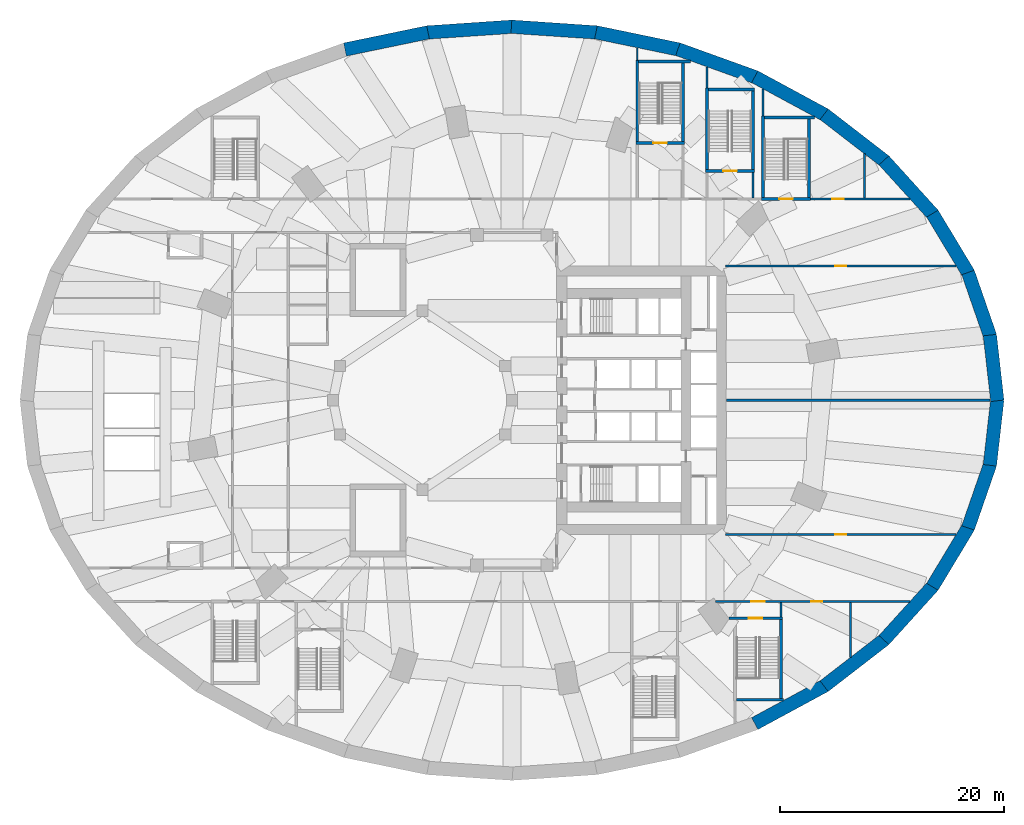
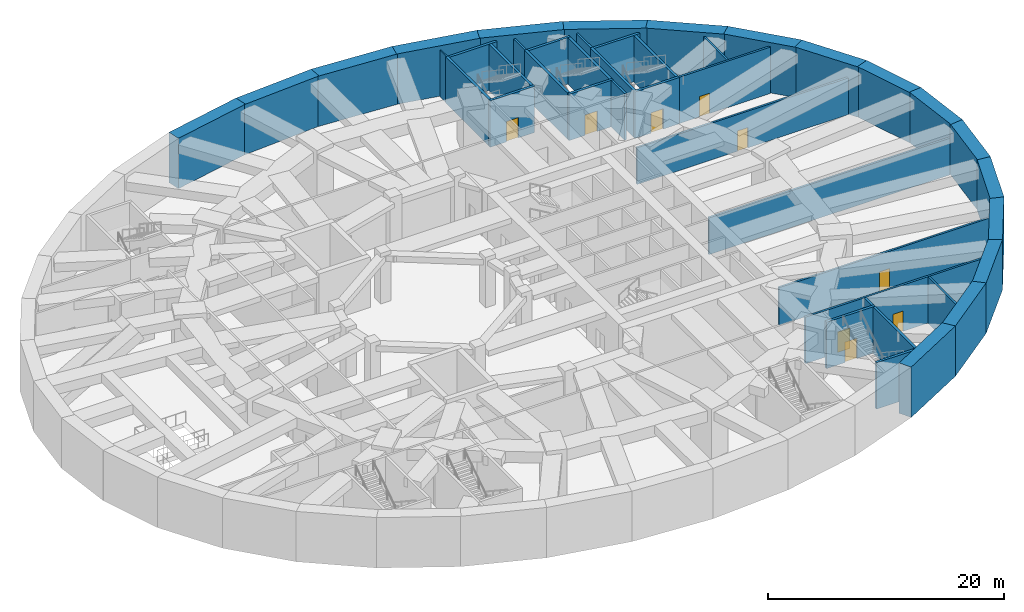
# One storey, part 8 of 14: 44 walls, 9 doors, 9 openings.
"""IFC4 building model written with IfcOpenShell, lengths in metres."""

from ifc_helpers import new_model, si_unit, direction, frame, frame_2d, origin, place, context, subcontext, project, spatial, rectangle, extrude, material, layer, layer_set, type_object, element, fill, save


model = new_model("IFC4")

# Units and contexts
model_context = context("Model", 3, precision=1e-05, world=origin(), true_north=direction((0.0, 1.0)))
body_context = subcontext(model_context, "Body", "Model", "MODEL_VIEW")
ifc_project = project(units=[si_unit("LENGTHUNIT", "METRE"), si_unit("AREAUNIT", "SQUARE_METRE"), si_unit("VOLUMEUNIT", "CUBIC_METRE"), si_unit("PLANEANGLEUNIT", "RADIAN"), si_unit("MASSUNIT", "GRAM", prefix="KILO")], contexts=[model_context])

# Site, building, storey
site_placement = place(None, origin())
site = spatial("IfcSite", under=ifc_project, at=site_placement, CompositionType="ELEMENT")
building_placement = place(site_placement, origin())
building = spatial("IfcBuilding", under=site, at=building_placement, Name="Taillehof Tower", CompositionType="ELEMENT")
storey_placement = place(building_placement, frame((0.0, 0.0, -5.199951171875)))
storey = spatial("IfcBuildingStorey", under=building, at=storey_placement, Name="B1", CompositionType="ELEMENT", Elevation=-5.199951171875)

# Wall, openings, doors
ifc_material_1 = material(Name="Calcium silicate blockwork", Category="masonry")
ifc_layer_1 = layer(ifc_material_1, 0.199951171875)
ifc_layer_set_1 = layer_set([ifc_layer_1], Name="Compartment wall EI 60 200 mm")
wall_type_1 = type_object("IfcWallType", Name="Compartment wall EI 60 200 mm", PredefinedType="PARTITIONING", material=ifc_layer_set_1)
wall_1_placement = place(storey_placement, frame((18.197265625, -18.0, 0.0), z_axis=(0.0, 0.0, 1.0), x_axis=(1.0, 0.0, 0.0)))
wall_1 = element("IfcWall", 1, at=wall_1_placement, inside=storey, type_object=wall_type_1, Name="Wall B1-18 / B1-32", PredefinedType="PARTITIONING", context=body_context, shape_type="SweptSolid", body=[
    extrude(rectangle(XDim=17.408203125, YDim=0.199951171875, at=frame_2d((8.7041015625, 0.0))), origin(), (0.0, 0.0, 1.0), 4.7900390625),
])
opening_1_placement = place(wall_1_placement, frame((3.202880859375, 0.0, 0.0)))
opening_1 = element("IfcOpeningElement", 2, at=opening_1_placement, cuts=wall_1, Name="Opening DB151", PredefinedType="OPENING", context=body_context, shape_type="SweptSolid", body=[
    extrude(rectangle(XDim=1.199951171875, YDim=2.10009765625, at=frame_2d((0.60009765625, 1.050048828125))), frame((0.0, 0.10986328125, 0.0), z_axis=(0.0, -1.0, 0.0), x_axis=(1.0, 0.0, 0.0)), (0.0, 0.0, 1.0), 0.219970703125),
])
opening_2_placement = place(wall_1_placement, frame((8.56591796875, 0.0, 0.0)))
opening_2 = element("IfcOpeningElement", 3, at=opening_2_placement, cuts=wall_1, Name="Opening DB152", PredefinedType="OPENING", context=body_context, shape_type="SweptSolid", body=[
    extrude(rectangle(XDim=1.0, YDim=2.10009765625, at=frame_2d((0.5, 1.050048828125))), frame((0.0, 0.10986328125, 0.0), z_axis=(0.0, -1.0, 0.0), x_axis=(1.0, 0.0, 0.0)), (0.0, 0.0, 1.0), 0.219970703125),
])
ifc_material_2 = material(Name="Hollow metal door set")
door_type_1 = type_object("IfcDoorType", Name="Single door 1000 x 2100 FD60S", OperationType="SINGLE_SWING_LEFT", PredefinedType="DOOR", material=ifc_material_2)
door_1_placement = place(opening_2_placement, origin())
door_1 = element("IfcDoor", 4, at=door_1_placement, inside=storey, type_object=door_type_1, Name="Door DB152", OperationType="SINGLE_SWING_LEFT", OverallHeight=2.10009765625, OverallWidth=1.0, PredefinedType="DOOR", context=body_context, shape_type="SweptSolid", body=[
    extrude(rectangle(XDim=1.0, YDim=2.10009765625, at=frame_2d((0.5, 1.050048828125))), frame((0.0, 0.02490234375, 0.0), z_axis=(0.0, -1.0, 0.0), x_axis=(1.0, 0.0, 0.0)), (0.0, 0.0, 1.0), 0.050048828125),
])
fill(opening_2, door_1)
ifc_material_3 = material(Name="Hollow metal door set")
door_type_2 = type_object("IfcDoorType", Name="Single door 1200 x 2100 FD60S", OperationType="SINGLE_SWING_LEFT", PredefinedType="DOOR", material=ifc_material_3)
door_2_placement = place(opening_1_placement, origin())
door_2 = element("IfcDoor", 5, at=door_2_placement, inside=storey, type_object=door_type_2, Name="Door DB151", OperationType="SINGLE_SWING_LEFT", OverallHeight=2.10009765625, OverallWidth=1.199951171875, PredefinedType="DOOR", context=body_context, shape_type="SweptSolid", body=[
    extrude(rectangle(XDim=1.199951171875, YDim=2.10009765625, at=frame_2d((0.60009765625, 1.050048828125))), frame((0.0, 0.02490234375, 0.0), z_axis=(0.0, -1.0, 0.0), x_axis=(1.0, 0.0, 0.0)), (0.0, 0.0, 1.0), 0.050048828125),
])
fill(opening_1, door_2)

# Wall, opening, door
wall_2_placement = place(storey_placement, frame((19.10009765625, -12.0, 0.0), z_axis=(0.0, 0.0, 1.0), x_axis=(1.0, 0.0, 0.0)))
wall_2 = element("IfcWall", 6, at=wall_2_placement, inside=storey, type_object=wall_type_1, Name="Wall B1-18 / B1-37", PredefinedType="PARTITIONING", context=body_context, shape_type="SweptSolid", body=[
    extrude(rectangle(XDim=20.625, YDim=0.199951171875, at=frame_2d((10.3125, 0.0))), origin(), (0.0, 0.0, 1.0), 3.889892578125),
])
opening_3_placement = place(wall_2_placement, frame((9.81298828125, 0.0, 0.0)))
opening_3 = element("IfcOpeningElement", 7, at=opening_3_placement, cuts=wall_2, Name="Opening DB159", PredefinedType="OPENING", context=body_context, shape_type="SweptSolid", body=[
    extrude(rectangle(XDim=1.0, YDim=2.10009765625, at=frame_2d((0.5, 1.050048828125))), frame((0.0, 0.10986328125, 0.0), z_axis=(0.0, -1.0, 0.0), x_axis=(1.0, 0.0, 0.0)), (0.0, 0.0, 1.0), 0.219970703125),
])
door_3_placement = place(opening_3_placement, origin())
door_3 = element("IfcDoor", 8, at=door_3_placement, inside=storey, type_object=door_type_1, Name="Door DB159", OperationType="SINGLE_SWING_RIGHT", OverallHeight=2.10009765625, OverallWidth=1.0, PredefinedType="DOOR", context=body_context, shape_type="SweptSolid", body=[
    extrude(rectangle(XDim=1.0, YDim=2.10009765625, at=frame_2d((0.5, 1.050048828125))), frame((0.0, 0.02490234375, 0.0), z_axis=(0.0, -1.0, 0.0), x_axis=(1.0, 0.0, 0.0)), (0.0, 0.0, 1.0), 0.050048828125),
])
fill(opening_3, door_3)

# Wall
wall_3_placement = place(storey_placement, frame((19.197998046875, 0.0, 0.0), z_axis=(0.0, 0.0, 1.0), x_axis=(1.0, 0.0, 0.0)))
element("IfcWall", 9, at=wall_3_placement, inside=storey, type_object=wall_type_1, Name="Wall B1-36 / B1-37", PredefinedType="PARTITIONING", context=body_context, shape_type="SweptSolid", body=[
    extrude(rectangle(XDim=23.5458984375, YDim=0.199951171875, at=frame_2d((11.77294921875, 0.0))), origin(), (0.0, 0.0, 1.0), 3.7900390625),
])

# Wall, opening, door
wall_4_placement = place(storey_placement, frame((19.10009765625, 12.0, 0.0), z_axis=(0.0, 0.0, 1.0), x_axis=(1.0, 0.0, 0.0)))
wall_4 = element("IfcWall", 10, at=wall_4_placement, inside=storey, type_object=wall_type_1, Name="Wall B1-17 / B1-36", PredefinedType="PARTITIONING", context=body_context, shape_type="SweptSolid", body=[
    extrude(rectangle(XDim=20.625, YDim=0.199951171875, at=frame_2d((10.3125, 0.0))), origin(), (0.0, 0.0, 1.0), 3.7900390625),
])
opening_4_placement = place(wall_4_placement, frame((9.81298828125, 0.0, 0.0)))
opening_4 = element("IfcOpeningElement", 11, at=opening_4_placement, cuts=wall_4, Name="Opening DB172", PredefinedType="OPENING", context=body_context, shape_type="SweptSolid", body=[
    extrude(rectangle(XDim=1.0, YDim=2.10009765625, at=frame_2d((0.5, 1.050048828125))), frame((0.0, 0.10986328125, 0.0), z_axis=(0.0, -1.0, 0.0), x_axis=(1.0, 0.0, 0.0)), (0.0, 0.0, 1.0), 0.219970703125),
])
door_4_placement = place(opening_4_placement, origin())
door_4 = element("IfcDoor", 12, at=door_4_placement, inside=storey, type_object=door_type_1, Name="Door DB172", OperationType="SINGLE_SWING_RIGHT", OverallHeight=2.10009765625, OverallWidth=1.0, PredefinedType="DOOR", context=body_context, shape_type="SweptSolid", body=[
    extrude(rectangle(XDim=1.0, YDim=2.10009765625, at=frame_2d((0.5, 1.050048828125))), frame((0.0, 0.02490234375, 0.0), z_axis=(0.0, -1.0, 0.0), x_axis=(1.0, 0.0, 0.0)), (0.0, 0.0, 1.0), 0.050048828125),
])
fill(opening_4, door_4)

wall_5_placement = place(storey_placement, frame((26.675048828125, 18.0, 0.0), z_axis=(0.0, 0.0, 1.0), x_axis=(1.0, 0.0, 0.0)))
wall_5 = element("IfcWall", 13, at=wall_5_placement, inside=storey, type_object=wall_type_1, Name="Wall B1-17 / B1-25", PredefinedType="PARTITIONING", context=body_context, shape_type="SweptSolid", body=[
    extrude(rectangle(XDim=8.930419921875, YDim=0.199951171875, at=frame_2d((4.46533203125, 0.0))), origin(), (0.0, 0.0, 1.0), 4.7900390625),
])
opening_5_placement = place(wall_5_placement, frame((1.97509765625, 0.0, 0.0)))
opening_5 = element("IfcOpeningElement", 14, at=opening_5_placement, cuts=wall_5, Name="Opening DB186", PredefinedType="OPENING", context=body_context, shape_type="SweptSolid", body=[
    extrude(rectangle(XDim=1.0, YDim=2.10009765625, at=frame_2d((0.5, 1.050048828125))), frame((0.0, 0.10986328125, 0.0), z_axis=(0.0, -1.0, 0.0), x_axis=(1.0, 0.0, 0.0)), (0.0, 0.0, 1.0), 0.219970703125),
])
door_5_placement = place(opening_5_placement, origin())
door_5 = element("IfcDoor", 15, at=door_5_placement, inside=storey, type_object=door_type_1, Name="Door DB186", OperationType="SINGLE_SWING_RIGHT", OverallHeight=2.10009765625, OverallWidth=1.0, PredefinedType="DOOR", context=body_context, shape_type="SweptSolid", body=[
    extrude(rectangle(XDim=1.0, YDim=2.10009765625, at=frame_2d((0.5, 1.050048828125))), frame((0.0, 0.02490234375, 0.0), z_axis=(0.0, -1.0, 0.0), x_axis=(1.0, 0.0, 0.0)), (0.0, 0.0, 1.0), 0.050048828125),
])
fill(opening_5, door_5)

# Walls
wall_6_placement = place(storey_placement, frame((17.449951171875, 27.9150390625, 0.0), z_axis=(0.0, 0.0, 1.0), x_axis=(0.0, 1.0, 0.0)))
element("IfcWall", 16, at=wall_6_placement, inside=storey, type_object=wall_type_1, Name="Wall B1-22 / B1-24", PredefinedType="PARTITIONING", context=body_context, shape_type="SweptSolid", body=[
    extrude(rectangle(XDim=1.878662109375, YDim=0.199951171875, at=frame_2d((0.939453125, 0.0))), origin(), (0.0, 0.0, 1.0), 4.7900390625),
])
wall_7_placement = place(storey_placement, frame((21.550048828125, 18.10009765625, 0.0), z_axis=(0.0, 0.0, 1.0), x_axis=(0.0, 1.0, 0.0)))
element("IfcWall", 17, at=wall_7_placement, inside=storey, type_object=wall_type_1, Name="Wall B1-23 / B1-24", PredefinedType="PARTITIONING", context=body_context, shape_type="SweptSolid", body=[
    extrude(rectangle(XDim=2.27490234375, YDim=0.199951171875, at=frame_2d((1.137451171875, 0.0))), origin(), (0.0, 0.0, 1.0), 4.7900390625),
])
wall_8_placement = place(storey_placement, frame((22.449951171875, 25.4150390625, 0.0), z_axis=(0.0, 0.0, 1.0), x_axis=(0.0, 1.0, 0.0)))
element("IfcWall", 18, at=wall_8_placement, inside=storey, type_object=wall_type_1, Name="Wall B1-24 / B1-25", PredefinedType="PARTITIONING", context=body_context, shape_type="SweptSolid", body=[
    extrude(rectangle(XDim=2.42138671875, YDim=0.199951171875, at=frame_2d((1.210693359375, 0.0))), origin(), (0.0, 0.0, 1.0), 4.7900390625),
])
wall_9_placement = place(storey_placement, frame((24.050048828125, -19.375, 0.0), z_axis=(0.0, 0.0, 1.0), x_axis=(0.0, 1.0, 0.0)))
element("IfcWall", 19, at=wall_9_placement, inside=storey, type_object=wall_type_1, Name="Wall B1-33 / B1-34", PredefinedType="PARTITIONING", context=body_context, shape_type="SweptSolid", body=[
    extrude(rectangle(XDim=1.27490234375, YDim=0.199951171875, at=frame_2d((0.637451171875, 0.0))), origin(), (0.0, 0.0, 1.0), 4.7900390625),
])
wall_10_placement = place(storey_placement, frame((30.27490234375, -23.006103515625, 0.0), z_axis=(0.0, 0.0, 1.0), x_axis=(0.0, 1.0, 0.0)))
element("IfcWall", 20, at=wall_10_placement, inside=storey, type_object=wall_type_1, Name="Wall B1-34 / B1-35", PredefinedType="PARTITIONING", context=body_context, shape_type="SweptSolid", body=[
    extrude(rectangle(XDim=4.906005859375, YDim=0.199951171875, at=frame_2d((2.453125, 0.0))), origin(), (0.0, 0.0, 1.0), 4.7900390625),
])
wall_11_placement = place(storey_placement, frame((31.52490234375, 18.10009765625, 0.0), z_axis=(0.0, 0.0, 1.0), x_axis=(0.0, 1.0, 0.0)))
element("IfcWall", 21, at=wall_11_placement, inside=storey, type_object=wall_type_1, Name="Wall B1-25 / B1-26", PredefinedType="PARTITIONING", context=body_context, shape_type="SweptSolid", body=[
    extrude(rectangle(XDim=3.940185546875, YDim=0.199951171875, at=frame_2d((1.97021484375, 0.0))), origin(), (0.0, 0.0, 1.0), 4.7900390625),
])
ifc_material_4 = material(Name="Concrete C35/45", Category="concrete")
ifc_layer_2 = layer(ifc_material_4, 1.199951171875)
ifc_layer_set_2 = layer_set([ifc_layer_2], Name="Diaphragm wall 1200")
wall_type_2 = type_object("IfcWallType", Name="Diaphragm wall 1200", PredefinedType="USERDEFINED", material=ifc_layer_set_2)
wall_12_placement = place(storey_placement, frame((43.402099609375, -0.05224609375, 0.0), z_axis=(0.0, 0.0, 1.0), x_axis=(-0.112525170728, 0.993648874579, 0.0)))
element("IfcWall", 22, at=wall_12_placement, inside=storey, type_object=wall_type_2, Name="Diaphragm wall DW01", ObjectType="Retaining wall", PredefinedType="USERDEFINED", context=body_context, shape_type="SweptSolid", body=[
    extrude(rectangle(XDim=5.912353515625, YDim=1.199951171875, at=frame_2d((2.9560546875, 0.0))), origin(), (0.0, 0.0, 1.0), 5.199951171875),
])
wall_13_placement = place(storey_placement, frame((42.760009765625, 5.720703125, 0.0), z_axis=(0.0, 0.0, 1.0), x_axis=(-0.327626042927, 0.944807480917, 0.0)))
element("IfcWall", 23, at=wall_13_placement, inside=storey, type_object=wall_type_2, Name="Diaphragm wall DW02", ObjectType="Retaining wall", PredefinedType="USERDEFINED", context=body_context, shape_type="SweptSolid", body=[
    extrude(rectangle(XDim=6.034423828125, YDim=1.199951171875, at=frame_2d((3.01708984375, 0.0))), origin(), (0.0, 0.0, 1.0), 5.199951171875),
])
wall_14_placement = place(storey_placement, frame((40.827392578125, 11.32763671875, 0.0), z_axis=(0.0, 0.0, 1.0), x_axis=(-0.516691596258, 0.856171591655, 0.0)))
element("IfcWall", 24, at=wall_14_placement, inside=storey, type_object=wall_type_2, Name="Diaphragm wall DW03", ObjectType="Retaining wall", PredefinedType="USERDEFINED", context=body_context, shape_type="SweptSolid", body=[
    extrude(rectangle(XDim=6.25732421875, YDim=1.199951171875, at=frame_2d((3.128662109375, 0.0))), origin(), (0.0, 0.0, 1.0), 5.199951171875),
])
wall_15_placement = place(storey_placement, frame((37.65673828125, 16.601318359375, 0.0), z_axis=(0.0, 0.0, 1.0), x_axis=(-0.671487423502, 0.741015951299, 0.0)))
element("IfcWall", 25, at=wall_15_placement, inside=storey, type_object=wall_type_2, Name="Diaphragm wall DW04", ObjectType="Retaining wall", PredefinedType="USERDEFINED", context=body_context, shape_type="SweptSolid", body=[
    extrude(rectangle(XDim=6.545166015625, YDim=1.199951171875, at=frame_2d((3.2724609375, 0.0))), origin(), (0.0, 0.0, 1.0), 5.199951171875),
])
wall_16_placement = place(storey_placement, frame((33.338623046875, 21.38037109375, 0.0), z_axis=(0.0, 0.0, 1.0), x_axis=(-0.791286567459, 0.611445474396, 0.0)))
element("IfcWall", 26, at=wall_16_placement, inside=storey, type_object=wall_type_2, Name="Diaphragm wall DW05", ObjectType="Retaining wall", PredefinedType="USERDEFINED", context=body_context, shape_type="SweptSolid", body=[
    extrude(rectangle(XDim=6.85693359375, YDim=1.199951171875, at=frame_2d((3.428466796875, 0.0))), origin(), (0.0, 0.0, 1.0), 5.199951171875),
])
wall_17_placement = place(storey_placement, frame((28.00048828125, 25.51611328125, 0.0), z_axis=(0.0, 0.0, 1.0), x_axis=(-0.879519330959, 0.475863159394, 0.0)))
element("IfcWall", 27, at=wall_17_placement, inside=storey, type_object=wall_type_2, Name="Diaphragm wall DW06", ObjectType="Retaining wall", PredefinedType="USERDEFINED", context=body_context, shape_type="SweptSolid", body=[
    extrude(rectangle(XDim=7.154541015625, YDim=1.199951171875, at=frame_2d((3.5771484375, 0.0))), origin(), (0.0, 0.0, 1.0), 5.199951171875),
])
wall_18_placement = place(storey_placement, frame((21.803466796875, 28.8779296875, 0.0), z_axis=(0.0, 0.0, 1.0), x_axis=(-0.940789454531, 0.338991448628, 0.0)))
element("IfcWall", 28, at=wall_18_placement, inside=storey, type_object=wall_type_2, Name="Diaphragm wall DW07", ObjectType="Retaining wall", PredefinedType="USERDEFINED", context=body_context, shape_type="SweptSolid", body=[
    extrude(rectangle(XDim=7.40576171875, YDim=1.199951171875, at=frame_2d((3.702880859375, 0.0))), origin(), (0.0, 0.0, 1.0), 5.199951171875),
])
wall_19_placement = place(storey_placement, frame((14.93701171875, 31.360107421875, 0.0), z_axis=(0.0, 0.0, 1.0), x_axis=(-0.979235314674, 0.202726906196, 0.0)))
element("IfcWall", 29, at=wall_19_placement, inside=storey, type_object=wall_type_2, Name="Diaphragm wall DW08", ObjectType="Retaining wall", PredefinedType="USERDEFINED", context=body_context, shape_type="SweptSolid", body=[
    extrude(rectangle(XDim=7.5869140625, YDim=1.199951171875, at=frame_2d((3.79345703125, 0.0))), origin(), (0.0, 0.0, 1.0), 5.199951171875),
])
for number, where, z_axis, x_axis, name in (
    (30, (7.611572265625, 32.884033203125, 0.0), (0.0, 0.0, 1.0), (-0.99772313347, 0.067442930977, 0.0), "Diaphragm wall DW09"),
    (31, (0.052490234375, 33.402099609375, 0.0), (0.0, 0.0, 1.0), (-0.99772313347, -0.067442930977, 0.0), "Diaphragm wall DW10"),
):
    element("IfcWall", number, at=place(storey_placement, frame(where, z_axis=z_axis, x_axis=x_axis)), inside=storey, type_object=wall_type_2, Name=name, ObjectType="Retaining wall", PredefinedType="USERDEFINED", context=body_context, shape_type="SweptSolid", body=[
        extrude(rectangle(XDim=7.681640625, YDim=1.199951171875, at=frame_2d((3.8408203125, 0.0))), origin(), (0.0, 0.0, 1.0), 5.199951171875),
    ])
wall_20_placement = place(storey_placement, frame((-7.507568359375, 32.898193359375, 0.0), z_axis=(0.0, 0.0, 1.0), x_axis=(-0.979235314674, -0.202726906196, 0.0)))
element("IfcWall", 32, at=wall_20_placement, inside=storey, type_object=wall_type_2, Name="Diaphragm wall DW11", ObjectType="Retaining wall", PredefinedType="USERDEFINED", context=body_context, shape_type="SweptSolid", body=[
    extrude(rectangle(XDim=7.5869140625, YDim=1.199951171875, at=frame_2d((3.79345703125, 0.0))), origin(), (0.0, 0.0, 1.0), 5.199951171875),
])
wall_21_placement = place(storey_placement, frame((21.7080078125, -28.920654296875, 0.0), z_axis=(0.0, 0.0, 1.0), x_axis=(0.879519330959, 0.475863159394, 0.0)))
element("IfcWall", 33, at=wall_21_placement, inside=storey, type_object=wall_type_2, Name="Diaphragm wall DW31", ObjectType="Retaining wall", PredefinedType="USERDEFINED", context=body_context, shape_type="SweptSolid", body=[
    extrude(rectangle(XDim=7.154541015625, YDim=1.199951171875, at=frame_2d((3.5771484375, 0.0))), origin(), (0.0, 0.0, 1.0), 5.199951171875),
])
wall_22_placement = place(storey_placement, frame((27.912841796875, -25.572998046875, 0.0), z_axis=(0.0, 0.0, 1.0), x_axis=(0.791286567459, 0.611445474396, 0.0)))
element("IfcWall", 34, at=wall_22_placement, inside=storey, type_object=wall_type_2, Name="Diaphragm wall DW32", ObjectType="Retaining wall", PredefinedType="USERDEFINED", context=body_context, shape_type="SweptSolid", body=[
    extrude(rectangle(XDim=6.85693359375, YDim=1.199951171875, at=frame_2d((3.428466796875, 0.0))), origin(), (0.0, 0.0, 1.0), 5.199951171875),
])
wall_23_placement = place(storey_placement, frame((33.26171875, -21.451416015625, 0.0), z_axis=(0.0, 0.0, 1.0), x_axis=(0.671487423502, 0.741015951299, 0.0)))
element("IfcWall", 35, at=wall_23_placement, inside=storey, type_object=wall_type_2, Name="Diaphragm wall DW33", ObjectType="Retaining wall", PredefinedType="USERDEFINED", context=body_context, shape_type="SweptSolid", body=[
    extrude(rectangle(XDim=6.545166015625, YDim=1.199951171875, at=frame_2d((3.2724609375, 0.0))), origin(), (0.0, 0.0, 1.0), 5.199951171875),
])
wall_24_placement = place(storey_placement, frame((37.59423828125, -16.68505859375, 0.0), z_axis=(0.0, 0.0, 1.0), x_axis=(0.516691596258, 0.856171591655, 0.0)))
element("IfcWall", 36, at=wall_24_placement, inside=storey, type_object=wall_type_2, Name="Diaphragm wall DW34", ObjectType="Retaining wall", PredefinedType="USERDEFINED", context=body_context, shape_type="SweptSolid", body=[
    extrude(rectangle(XDim=6.25732421875, YDim=1.199951171875, at=frame_2d((3.128662109375, 0.0))), origin(), (0.0, 0.0, 1.0), 5.199951171875),
])
wall_25_placement = place(storey_placement, frame((40.782958984375, -11.422119140625, 0.0), z_axis=(0.0, 0.0, 1.0), x_axis=(0.327626042927, 0.944807480917, 0.0)))
element("IfcWall", 37, at=wall_25_placement, inside=storey, type_object=wall_type_2, Name="Diaphragm wall DW35", ObjectType="Retaining wall", PredefinedType="USERDEFINED", context=body_context, shape_type="SweptSolid", body=[
    extrude(rectangle(XDim=6.034423828125, YDim=1.199951171875, at=frame_2d((3.01708984375, 0.0))), origin(), (0.0, 0.0, 1.0), 5.199951171875),
])
wall_26_placement = place(storey_placement, frame((42.73681640625, -5.822509765625, 0.0), z_axis=(0.0, 0.0, 1.0), x_axis=(0.112525170728, 0.993648874579, 0.0)))
element("IfcWall", 38, at=wall_26_placement, inside=storey, type_object=wall_type_2, Name="Diaphragm wall DW36", ObjectType="Retaining wall", PredefinedType="USERDEFINED", context=body_context, shape_type="SweptSolid", body=[
    extrude(rectangle(XDim=5.912353515625, YDim=1.199951171875, at=frame_2d((2.9560546875, 0.0))), origin(), (0.0, 0.0, 1.0), 5.199951171875),
])
ifc_material_5 = material(Name="Gypsum board partition on steel studs", Category="steel")
ifc_layer_3 = layer(ifc_material_5, 0.125)
ifc_layer_set_3 = layer_set([ifc_layer_3], Name="Partition wall EI 30 125 mm")
wall_type_3 = type_object("IfcWallType", Name="Partition wall EI 30 125 mm", PredefinedType="PARTITIONING", material=ifc_layer_set_3)
wall_27_placement = place(storey_placement, frame((11.199951171875, 30.4150390625, 0.0), z_axis=(0.0, 0.0, 1.0), x_axis=(0.0, 1.0, 0.0)))
element("IfcWall", 39, at=wall_27_placement, inside=storey, type_object=wall_type_3, Name="Wall B1-20 / B1-22", PredefinedType="PARTITIONING", context=body_context, shape_type="SweptSolid", body=[
    extrude(rectangle(XDim=1.06982421875, YDim=0.125, at=frame_2d((0.534912109375, 0.0))), origin(), (0.0, 0.0, 1.0), 4.7900390625),
])
ifc_material_6 = material(Name="Concrete C40/50", Category="concrete")
ifc_layer_4 = layer(ifc_material_6, 0.25)
ifc_layer_set_4 = layer_set([ifc_layer_4], Name="Stair wall EI 120 250 mm")
wall_type_4 = type_object("IfcWallType", Name="Stair wall EI 120 250 mm", PredefinedType="SOLIDWALL", material=ifc_layer_set_4)
wall_28_placement = place(storey_placement, frame((20.074951171875, -26.7900390625, 0.0), z_axis=(0.0, 0.0, 1.0), x_axis=(1.0, 0.0, 0.0)))
element("IfcWall", 40, at=wall_28_placement, inside=storey, type_object=wall_type_4, Name="Wall B1-04 / B1-34", PredefinedType="SOLIDWALL", context=body_context, shape_type="SweptSolid", body=[
    extrude(rectangle(XDim=4.202880859375, YDim=0.25, at=frame_2d((2.1015625, 0.0))), origin(), (0.0, 0.0, 1.0), 4.7900390625),
])

# Wall, opening, door
wall_29_placement = place(storey_placement, frame((19.4033203125, -19.5, 0.0), z_axis=(0.0, 0.0, 1.0), x_axis=(1.0, 0.0, 0.0)))
wall_29 = element("IfcWall", 41, at=wall_29_placement, inside=storey, type_object=wall_type_4, Name="Wall B1-04 / B1-33", PredefinedType="SOLIDWALL", context=body_context, shape_type="SweptSolid", body=[
    extrude(rectangle(XDim=4.771728515625, YDim=0.25, at=frame_2d((2.3857421875, 0.0))), origin(), (0.0, 0.0, 1.0), 4.7900390625),
])
opening_6_placement = place(wall_29_placement, frame((1.78564453125, 0.0, 0.0)))
opening_6 = element("IfcOpeningElement", 42, at=opening_6_placement, cuts=wall_29, Name="Opening DB143", PredefinedType="OPENING", context=body_context, shape_type="SweptSolid", body=[
    extrude(rectangle(XDim=1.199951171875, YDim=2.10009765625, at=frame_2d((0.60009765625, 1.050048828125))), frame((0.0, 0.135009765625, 0.0), z_axis=(0.0, -1.0, 0.0), x_axis=(1.0, 0.0, 0.0)), (0.0, 0.0, 1.0), 0.27001953125),
])
ifc_material_7 = material(Name="Hollow metal door set")
door_type_3 = type_object("IfcDoorType", Name="Single door 1200 x 2100 FD120S", OperationType="SINGLE_SWING_LEFT", PredefinedType="DOOR", material=ifc_material_7)
door_6_placement = place(opening_6_placement, origin())
door_6 = element("IfcDoor", 43, at=door_6_placement, inside=storey, type_object=door_type_3, Name="Door DB143", OperationType="SINGLE_SWING_RIGHT", OverallHeight=2.10009765625, OverallWidth=1.199951171875, PredefinedType="DOOR", context=body_context, shape_type="SweptSolid", body=[
    extrude(rectangle(XDim=1.199951171875, YDim=2.10009765625, at=frame_2d((0.60009765625, 1.050048828125))), frame((0.0, 0.02490234375, 0.0), z_axis=(0.0, -1.0, 0.0), x_axis=(1.0, 0.0, 0.0)), (0.0, 0.0, 1.0), 0.050048828125),
])
fill(opening_6, door_6)

wall_30_placement = place(storey_placement, frame((22.324951171875, 18.0, 0.0), z_axis=(0.0, 0.0, 1.0), x_axis=(1.0, 0.0, 0.0)))
wall_30 = element("IfcWall", 44, at=wall_30_placement, inside=storey, type_object=wall_type_4, Name="Wall B1-05 / B1-17", PredefinedType="SOLIDWALL", context=body_context, shape_type="SweptSolid", body=[
    extrude(rectangle(XDim=4.35009765625, YDim=0.25, at=frame_2d((2.175048828125, 0.0))), origin(), (0.0, 0.0, 1.0), 4.7900390625),
])
opening_7_placement = place(wall_30_placement, frame((1.574951171875, 0.0, 0.0)))
opening_7 = element("IfcOpeningElement", 45, at=opening_7_placement, cuts=wall_30, Name="Opening DB185", PredefinedType="OPENING", context=body_context, shape_type="SweptSolid", body=[
    extrude(rectangle(XDim=1.199951171875, YDim=2.10009765625, at=frame_2d((0.60009765625, 1.050048828125))), frame((0.0, 0.135009765625, 0.0), z_axis=(0.0, -1.0, 0.0), x_axis=(1.0, 0.0, 0.0)), (0.0, 0.0, 1.0), 0.27001953125),
])
door_7_placement = place(opening_7_placement, origin())
door_7 = element("IfcDoor", 46, at=door_7_placement, inside=storey, type_object=door_type_3, Name="Door DB185", OperationType="SINGLE_SWING_RIGHT", OverallHeight=2.10009765625, OverallWidth=1.199951171875, PredefinedType="DOOR", context=body_context, shape_type="SweptSolid", body=[
    extrude(rectangle(XDim=1.199951171875, YDim=2.10009765625, at=frame_2d((0.60009765625, 1.050048828125))), frame((0.0, 0.02490234375, 0.0), z_axis=(0.0, -1.0, 0.0), x_axis=(1.0, 0.0, 0.0)), (0.0, 0.0, 1.0), 0.050048828125),
])
fill(opening_7, door_7)

wall_31_placement = place(storey_placement, frame((17.324951171875, 20.5, 0.0), z_axis=(0.0, 0.0, 1.0), x_axis=(1.0, 0.0, 0.0)))
wall_31 = element("IfcWall", 47, at=wall_31_placement, inside=storey, type_object=wall_type_4, Name="Wall B1-07 / B1-23", PredefinedType="SOLIDWALL", context=body_context, shape_type="SweptSolid", body=[
    extrude(rectangle(XDim=4.35009765625, YDim=0.25, at=frame_2d((2.175048828125, 0.0))), origin(), (0.0, 0.0, 1.0), 4.7900390625),
])
opening_8_placement = place(wall_31_placement, frame((1.574951171875, 0.0, 0.0)))
opening_8 = element("IfcOpeningElement", 48, at=opening_8_placement, cuts=wall_31, Name="Opening DB187", PredefinedType="OPENING", context=body_context, shape_type="SweptSolid", body=[
    extrude(rectangle(XDim=1.199951171875, YDim=2.10009765625, at=frame_2d((0.60009765625, 1.050048828125))), frame((0.0, 0.135009765625, 0.0), z_axis=(0.0, -1.0, 0.0), x_axis=(1.0, 0.0, 0.0)), (0.0, 0.0, 1.0), 0.27001953125),
])
door_8_placement = place(opening_8_placement, origin())
door_8 = element("IfcDoor", 49, at=door_8_placement, inside=storey, type_object=door_type_3, Name="Door DB187", OperationType="SINGLE_SWING_RIGHT", OverallHeight=2.10009765625, OverallWidth=1.199951171875, PredefinedType="DOOR", context=body_context, shape_type="SweptSolid", body=[
    extrude(rectangle(XDim=1.199951171875, YDim=2.10009765625, at=frame_2d((0.60009765625, 1.050048828125))), frame((0.0, 0.02490234375, 0.0), z_axis=(0.0, -1.0, 0.0), x_axis=(1.0, 0.0, 0.0)), (0.0, 0.0, 1.0), 0.050048828125),
])
fill(opening_8, door_8)

wall_32_placement = place(storey_placement, frame((11.074951171875, 23.0, 0.0), z_axis=(0.0, 0.0, 1.0), x_axis=(1.0, 0.0, 0.0)))
wall_32 = element("IfcWall", 50, at=wall_32_placement, inside=storey, type_object=wall_type_4, Name="Wall B1-03 / B1-21", PredefinedType="SOLIDWALL", context=body_context, shape_type="SweptSolid", body=[
    extrude(rectangle(XDim=4.35009765625, YDim=0.25, at=frame_2d((2.175048828125, 0.0))), origin(), (0.0, 0.0, 1.0), 4.7900390625),
])
opening_9_placement = place(wall_32_placement, frame((1.574951171875, 0.0, 0.0)))
opening_9 = element("IfcOpeningElement", 51, at=opening_9_placement, cuts=wall_32, Name="Opening DB188", PredefinedType="OPENING", context=body_context, shape_type="SweptSolid", body=[
    extrude(rectangle(XDim=1.199951171875, YDim=2.10009765625, at=frame_2d((0.60009765625, 1.050048828125))), frame((0.0, 0.135009765625, 0.0), z_axis=(0.0, -1.0, 0.0), x_axis=(1.0, 0.0, 0.0)), (0.0, 0.0, 1.0), 0.27001953125),
])
door_9_placement = place(opening_9_placement, origin())
door_9 = element("IfcDoor", 52, at=door_9_placement, inside=storey, type_object=door_type_3, Name="Door DB188", OperationType="SINGLE_SWING_LEFT", OverallHeight=2.10009765625, OverallWidth=1.199951171875, PredefinedType="DOOR", context=body_context, shape_type="SweptSolid", body=[
    extrude(rectangle(XDim=1.199951171875, YDim=2.10009765625, at=frame_2d((0.60009765625, 1.050048828125))), frame((0.0, 0.02490234375, 0.0), z_axis=(0.0, -1.0, 0.0), x_axis=(1.0, 0.0, 0.0)), (0.0, 0.0, 1.0), 0.050048828125),
])
fill(opening_9, door_9)

# Walls
wall_33_placement = place(storey_placement, frame((22.574951171875, 25.2900390625, 0.0), z_axis=(0.0, 0.0, 1.0), x_axis=(1.0, 0.0, 0.0)))
element("IfcWall", 53, at=wall_33_placement, inside=storey, type_object=wall_type_4, Name="Wall B1-05 / B1-25", PredefinedType="SOLIDWALL", context=body_context, shape_type="SweptSolid", body=[
    extrude(rectangle(XDim=4.475341796875, YDim=0.25, at=frame_2d((2.23779296875, 0.0))), origin(), (0.0, 0.0, 1.0), 4.7900390625),
])
wall_34_placement = place(storey_placement, frame((17.574951171875, 27.7900390625, 0.0), z_axis=(0.0, 0.0, 1.0), x_axis=(1.0, 0.0, 0.0)))
element("IfcWall", 54, at=wall_34_placement, inside=storey, type_object=wall_type_4, Name="Wall B1-07 / B1-24", PredefinedType="SOLIDWALL", context=body_context, shape_type="SweptSolid", body=[
    extrude(rectangle(XDim=4.10009765625, YDim=0.25, at=frame_2d((2.050048828125, 0.0))), origin(), (0.0, 0.0, 1.0), 4.7900390625),
])
wall_35_placement = place(storey_placement, frame((11.324951171875, 30.2900390625, 0.0), z_axis=(0.0, 0.0, 1.0), x_axis=(1.0, 0.0, 0.0)))
element("IfcWall", 55, at=wall_35_placement, inside=storey, type_object=wall_type_4, Name="Wall B1-03 / B1-22", PredefinedType="SOLIDWALL", context=body_context, shape_type="SweptSolid", body=[
    extrude(rectangle(XDim=4.63916015625, YDim=0.25, at=frame_2d((2.319580078125, 0.0))), origin(), (0.0, 0.0, 1.0), 4.7900390625),
])
wall_36_placement = place(storey_placement, frame((11.199951171875, 23.125, 0.0), z_axis=(0.0, 0.0, 1.0), x_axis=(0.0, 1.0, 0.0)))
element("IfcWall", 56, at=wall_36_placement, inside=storey, type_object=wall_type_4, Name="Wall B1-03 / B1-20", PredefinedType="SOLIDWALL", context=body_context, shape_type="SweptSolid", body=[
    extrude(rectangle(XDim=7.2900390625, YDim=0.25, at=frame_2d((3.64501953125, 0.0))), origin(), (0.0, 0.0, 1.0), 4.7900390625),
])
wall_37_placement = place(storey_placement, frame((15.300048828125, 23.125, 0.0), z_axis=(0.0, 0.0, 1.0), x_axis=(0.0, 1.0, 0.0)))
element("IfcWall", 57, at=wall_37_placement, inside=storey, type_object=wall_type_4, Name="Wall B1-03 / B1-22", PredefinedType="SOLIDWALL", context=body_context, shape_type="SweptSolid", body=[
    extrude(rectangle(XDim=7.0400390625, YDim=0.25, at=frame_2d((3.52001953125, 0.0))), origin(), (0.0, 0.0, 1.0), 4.7900390625),
])
wall_38_placement = place(storey_placement, frame((17.449951171875, 20.625, 0.0), z_axis=(0.0, 0.0, 1.0), x_axis=(0.0, 1.0, 0.0)))
element("IfcWall", 58, at=wall_38_placement, inside=storey, type_object=wall_type_4, Name="Wall B1-07 / B1-22", PredefinedType="SOLIDWALL", context=body_context, shape_type="SweptSolid", body=[
    extrude(rectangle(XDim=7.2900390625, YDim=0.25, at=frame_2d((3.64501953125, 0.0))), origin(), (0.0, 0.0, 1.0), 4.7900390625),
])
wall_39_placement = place(storey_placement, frame((21.550048828125, 20.625, 0.0), z_axis=(0.0, 0.0, 1.0), x_axis=(0.0, 1.0, 0.0)))
element("IfcWall", 59, at=wall_39_placement, inside=storey, type_object=wall_type_4, Name="Wall B1-07 / B1-24", PredefinedType="SOLIDWALL", context=body_context, shape_type="SweptSolid", body=[
    extrude(rectangle(XDim=7.0400390625, YDim=0.25, at=frame_2d((3.52001953125, 0.0))), origin(), (0.0, 0.0, 1.0), 4.7900390625),
])
wall_40_placement = place(storey_placement, frame((22.449951171875, 18.125, 0.0), z_axis=(0.0, 0.0, 1.0), x_axis=(0.0, 1.0, 0.0)))
element("IfcWall", 60, at=wall_40_placement, inside=storey, type_object=wall_type_4, Name="Wall B1-05 / B1-24", PredefinedType="SOLIDWALL", context=body_context, shape_type="SweptSolid", body=[
    extrude(rectangle(XDim=7.2900390625, YDim=0.25, at=frame_2d((3.64501953125, 0.0))), origin(), (0.0, 0.0, 1.0), 4.7900390625),
])
for number, where, z_axis, x_axis, name in (
    (61, (24.050048828125, -26.6650390625, 0.0), (0.0, 0.0, 1.0), (0.0, 1.0, 0.0), "Wall B1-04 / B1-34"),
    (62, (26.550048828125, 18.125, 0.0), (0.0, 0.0, 1.0), (0.0, 1.0, 0.0), "Wall B1-05 / B1-25"),
):
    element("IfcWall", number, at=place(storey_placement, frame(where, z_axis=z_axis, x_axis=x_axis)), inside=storey, type_object=wall_type_4, Name=name, PredefinedType="SOLIDWALL", context=body_context, shape_type="SweptSolid", body=[
        extrude(rectangle(XDim=7.0400390625, YDim=0.25, at=frame_2d((3.52001953125, 0.0))), origin(), (0.0, 0.0, 1.0), 4.7900390625),
    ])

save(model, "model.ifc")
